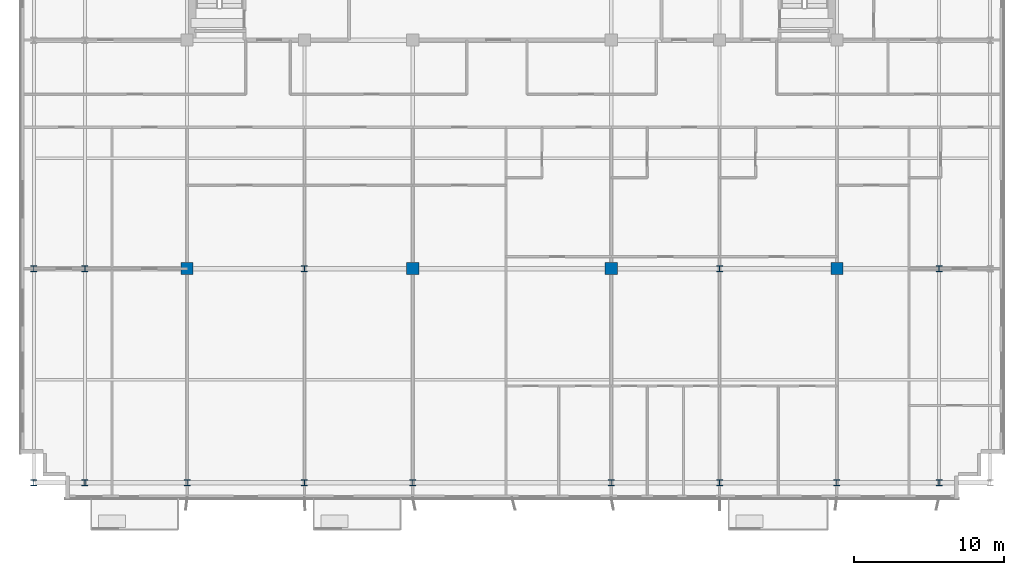
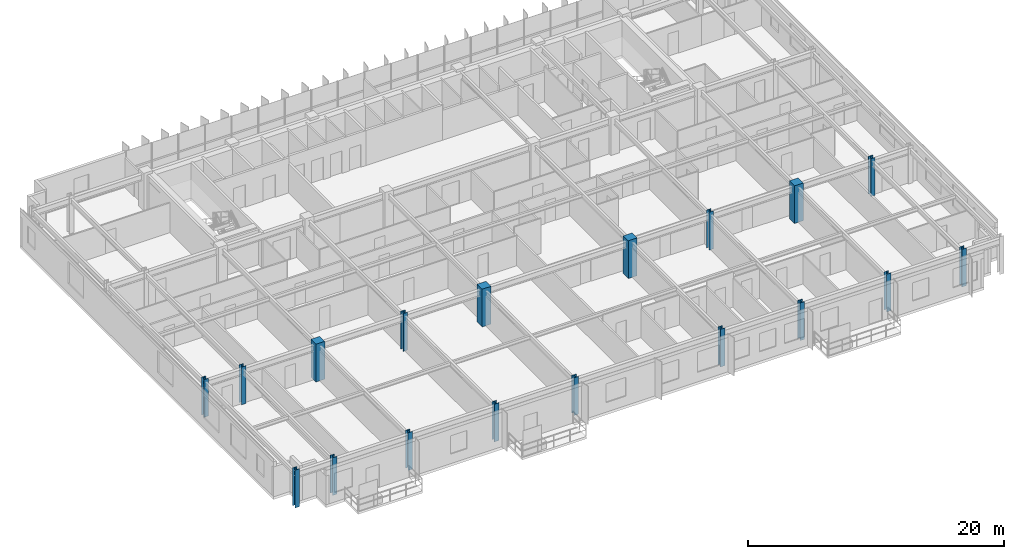
# One storey, part 1 of 22: 18 columns.
"""IFC4 building model written with IfcOpenShell, lengths in metres."""

from ifc_helpers import new_model, si_unit, direction, frame, origin, origin_2d, place, context, subcontext, project, spatial, rectangle, i_section, extrude, source, transform, mapped, material, material_profile, profile_set, type_object, element, save


model = new_model("IFC4")

# Units and contexts
model_context = context("Model", 3, precision=1e-05, world=origin(), true_north=direction((0.0, 1.0)))
body_context = subcontext(model_context, "Body", "Model", "MODEL_VIEW")
ifc_project = project(units=[si_unit("LENGTHUNIT", "METRE"), si_unit("AREAUNIT", "SQUARE_METRE"), si_unit("VOLUMEUNIT", "CUBIC_METRE"), si_unit("PLANEANGLEUNIT", "RADIAN"), si_unit("MASSUNIT", "GRAM", prefix="KILO")], contexts=[model_context])

# Site, building, storey
site_placement = place(None, origin())
site = spatial("IfcSite", under=ifc_project, at=site_placement, CompositionType="ELEMENT")
building_placement = place(site_placement, origin())
building = spatial("IfcBuilding", under=site, at=building_placement, Name="Trelvane Seafront Commons", CompositionType="ELEMENT")
storey_placement = place(building_placement, frame((0.0, 0.0, 85.300048828125)))
storey = spatial("IfcBuildingStorey", under=building, at=storey_placement, Name="L21", CompositionType="ELEMENT", Elevation=85.300048828125)

# Columns
ifc_material_1 = material(Name="Steel SM355 (S355)", Category="steel")
ifc_material_profile_1 = material_profile(ifc_material_1, i_section(OverallWidth=0.39990234375, OverallDepth=0.39990234375, WebThickness=0.02197265625, FlangeThickness=0.034912109375, at=origin_2d()), Name="HD-400x400x22x35")
ifc_profile_set_1 = profile_set([ifc_material_profile_1], Name="Steel SM355 (S355)")
column_type_1 = type_object("IfcColumnType", Name="STR-COL-HD400", PredefinedType="COLUMN", material=ifc_profile_set_1)
shared_shape_1 = source(origin(), body_context, "Body", "SweptSolid", [
    extrude(i_section(OverallWidth=0.39990234375, OverallDepth=0.39990234375, WebThickness=0.02197265625, FlangeThickness=0.034912109375, at=origin_2d()), origin(), (0.0, 0.0, 1.0), 3.599853515625),
])
for number, where, z_axis, x_axis, name in (
    (1, (5.39990234375, 3.949951171875, 0.0), (0.0, 0.0, 1.0), (1.0, 0.0, 0.0), "L21 Column TC-S5.4"),
    (2, (5.39990234375, 18.199951171875, 0.0), (0.0, 0.0, 1.0), (1.0, 0.0, 0.0), "L21 Column TC-M5.4"),
    (3, (8.800048828125, 3.949951171875, 0.0), (0.0, 0.0, 1.0), (1.0, 0.0, 0.0), "L21 Column TC-S8.8"),
    (4, (8.800048828125, 18.199951171875, 0.0), (0.0, 0.0, 1.0), (1.0, 0.0, 0.0), "L21 Column TC-M8.8"),
    (5, (15.60009765625, 3.949951171875, 0.0), (0.0, 0.0, 1.0), (1.0, 0.0, 0.0), "L21 Column TC-S15.6"),
    (6, (23.39990234375, 3.949951171875, 0.0), (0.0, 0.0, 1.0), (1.0, 0.0, 0.0), "L21 Column TC-S23.4"),
    (7, (23.39990234375, 18.199951171875, 0.0), (0.0, 0.0, 1.0), (1.0, 0.0, 0.0), "L21 Column TC-M23.4"),
    (8, (30.60009765625, 3.949951171875, 0.0), (0.0, 0.0, 1.0), (1.0, 0.0, 0.0), "L21 Column TC-S30.6"),
    (9, (43.800048828125, 3.949951171875, 0.0), (0.0, 0.0, 1.0), (1.0, 0.0, 0.0), "L21 Column TC-S43.8"),
    (10, (51.0, 3.949951171875, 0.0), (0.0, 0.0, 1.0), (1.0, 0.0, 0.0), "L21 Column TC-S51.0"),
    (11, (51.0, 18.199951171875, 0.0), (0.0, 0.0, 1.0), (1.0, 0.0, 0.0), "L21 Column TC-M51.0"),
    (12, (58.800048828125, 3.949951171875, 0.0), (0.0, 0.0, 1.0), (1.0, 0.0, 0.0), "L21 Column TC-S58.8"),
    (13, (65.60009765625, 3.949951171875, 0.0), (0.0, 0.0, 1.0), (1.0, 0.0, 0.0), "L21 Column TC-S65.6"),
    (14, (65.60009765625, 18.199951171875, 0.0), (0.0, 0.0, 1.0), (1.0, 0.0, 0.0), "L21 Column TC-M65.6"),
):
    element("IfcColumn", number, at=place(storey_placement, frame(where, z_axis=z_axis, x_axis=x_axis)), inside=storey, type_object=column_type_1, Name=name, PredefinedType="COLUMN", context=body_context, shape_type="MappedRepresentation", body=[
        mapped(shared_shape_1, transform((0.0, 0.0, 0.0), x_axis=(1.0, 0.0, 0.0), y_axis=(0.0, 1.0, 0.0), z_axis=(0.0, 0.0, 1.0), scale=1.0)),
    ])
ifc_material_2 = material(Name="Concrete C60/75", Category="concrete")
ifc_material_profile_2 = material_profile(ifc_material_2, rectangle(XDim=0.800048828125, YDim=0.800048828125, at=origin_2d()), Name="RC-800x800")
ifc_profile_set_2 = profile_set([ifc_material_profile_2], Name="Concrete C60/75")
column_type_2 = type_object("IfcColumnType", Name="STR-COL-RC800", PredefinedType="COLUMN", material=ifc_profile_set_2)
shared_shape_2 = source(origin(), body_context, "Body", "SweptSolid", [
    extrude(rectangle(XDim=0.800048828125, YDim=0.800048828125, at=origin_2d()), origin(), (0.0, 0.0, 1.0), 3.599853515625),
])
for number, where, z_axis, x_axis, name in (
    (15, (15.60009765625, 18.199951171875, 0.0), (0.0, 0.0, 1.0), (1.0, 0.0, 0.0), "L21 Column TC-M15.6"),
    (16, (30.60009765625, 18.199951171875, 0.0), (0.0, 0.0, 1.0), (1.0, 0.0, 0.0), "L21 Column TC-M30.6"),
    (17, (43.800048828125, 18.199951171875, 0.0), (0.0, 0.0, 1.0), (1.0, 0.0, 0.0), "L21 Column TC-M43.8"),
    (18, (58.800048828125, 18.199951171875, 0.0), (0.0, 0.0, 1.0), (1.0, 0.0, 0.0), "L21 Column TC-M58.8"),
):
    element("IfcColumn", number, at=place(storey_placement, frame(where, z_axis=z_axis, x_axis=x_axis)), inside=storey, type_object=column_type_2, Name=name, PredefinedType="COLUMN", context=body_context, shape_type="MappedRepresentation", body=[
        mapped(shared_shape_2, transform((0.0, 0.0, 0.0), x_axis=(1.0, 0.0, 0.0), y_axis=(0.0, 1.0, 0.0), z_axis=(0.0, 0.0, 1.0), scale=1.0)),
    ])

save(model, "model.ifc")
